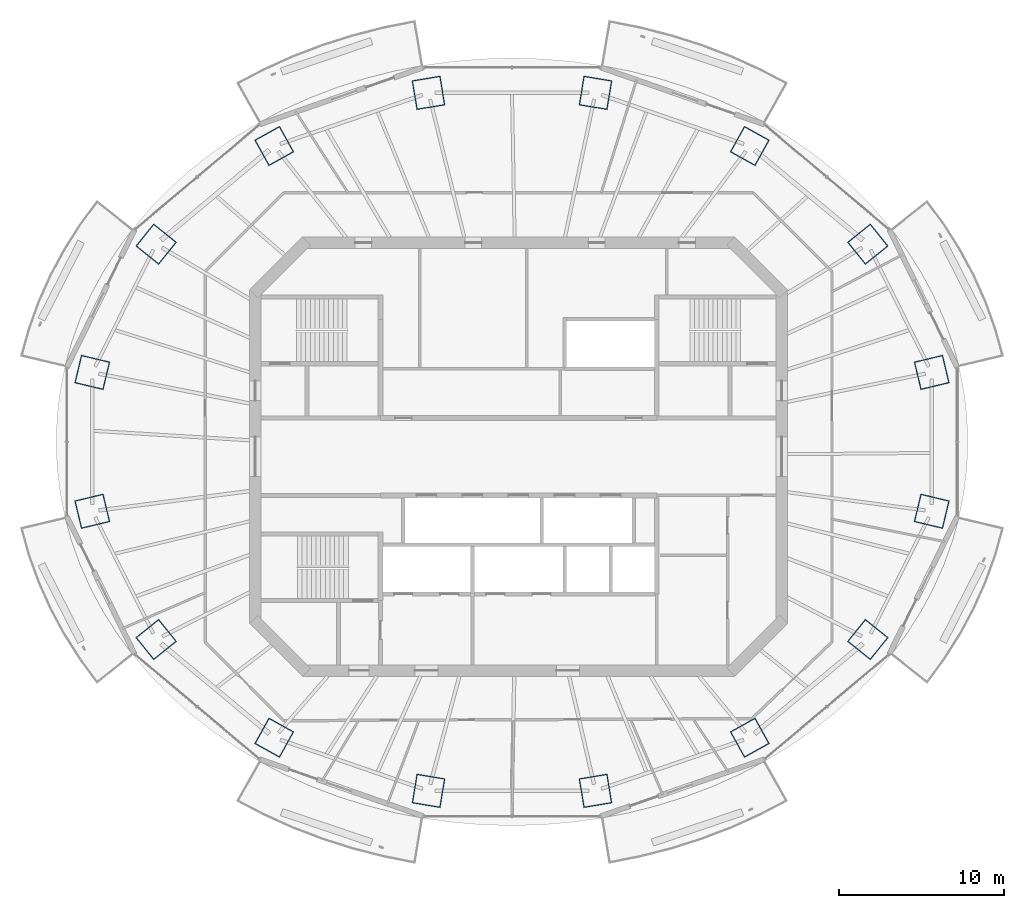
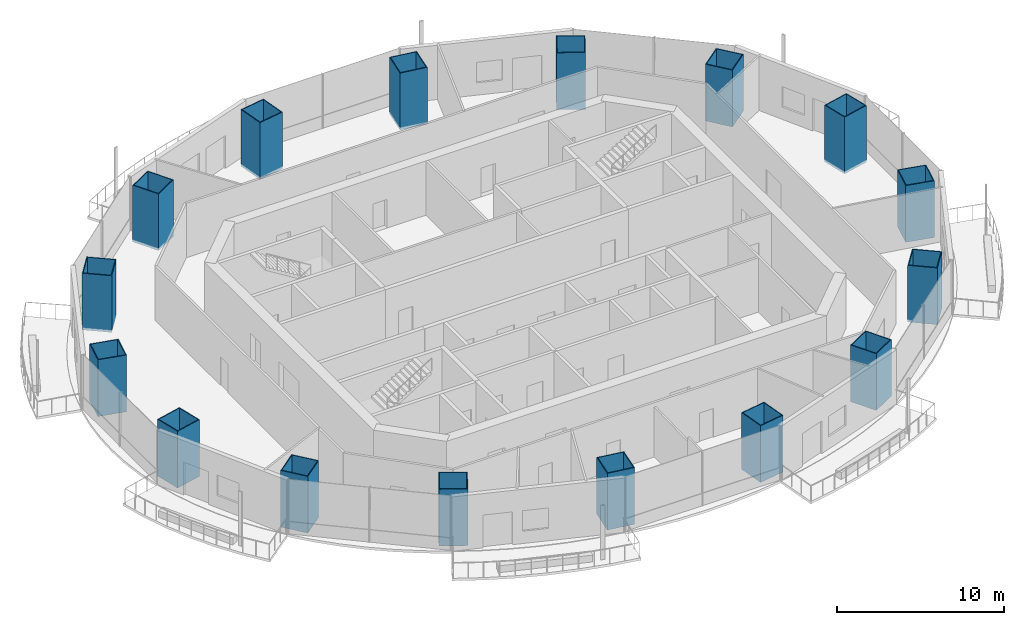
# One storey, part 1 of 16: 16 columns.
"""IFC4 building model written with IfcOpenShell, lengths in metres."""

from ifc_helpers import new_model, si_unit, direction, frame, origin, origin_2d, place, context, subcontext, project, spatial, rectangle, hollow_rectangle, extrude, material, material_profile, profile_set, type_object, element, save


model = new_model("IFC4")

# Units and contexts
model_context = context("Model", 3, precision=1e-05, world=origin(), true_north=direction((0.0, 1.0)))
body_context = subcontext(model_context, "Body", "Model", "MODEL_VIEW")
ifc_project = project(units=[si_unit("LENGTHUNIT", "METRE"), si_unit("AREAUNIT", "SQUARE_METRE"), si_unit("VOLUMEUNIT", "CUBIC_METRE"), si_unit("PLANEANGLEUNIT", "RADIAN"), si_unit("MASSUNIT", "GRAM", prefix="KILO")], contexts=[model_context])

# Site, building, storey
site_placement = place(None, origin())
site = spatial("IfcSite", under=ifc_project, at=site_placement, CompositionType="ELEMENT")
building_placement = place(site_placement, origin())
building = spatial("IfcBuilding", under=site, at=building_placement, Name="Marenthal Gate Tower", CompositionType="ELEMENT")
storey_placement = place(building_placement, frame((0.0, 0.0, 326.0)))
storey = spatial("IfcBuildingStorey", under=building, at=storey_placement, Name="L73", CompositionType="ELEMENT", Elevation=326.0)

# Columns
ifc_material_1 = material(Name="Steel S460", Category="steel")
ifc_material_profile_1 = material_profile(ifc_material_1, hollow_rectangle(XDim=1.75, YDim=1.800048828125, WallThickness=0.054931640625, at=origin_2d()), Name="CFT BOX 1800X1750X55")
ifc_material_2 = material(Name="Concrete 70 MPa", Category="concrete")
ifc_material_profile_2 = material_profile(ifc_material_2, rectangle(XDim=1.639892578125, YDim=1.68994140625, at=origin_2d()), Name="CFT BOX 1800X1750X55 INFILL")
ifc_profile_set = profile_set([ifc_material_profile_1, ifc_material_profile_2], Name="Steel S460 shell, Concrete 70 MPa infill")
column_type = type_object("IfcColumnType", Name="CFT BOX 1800X1750X55", PredefinedType="COLUMN", material=ifc_profile_set)
for number, where, z_axis, x_axis, name in (
    (1, (25.1123046875, 5.119140625, -0.179931640625), (0.0, 0.0, 1.0), (0.232676502106, -0.97255418634, 0.0), "COL-L73-01"),
    (2, (21.228271484375, 12.915283203125, -0.179931640625), (0.0, 0.0, 1.0), (0.626431050402, -0.77947683679, 0.0), "COL-L73-02"),
    (3, (14.051513671875, 18.882080078125, -0.179931640625), (0.0, 0.0, 1.0), (0.874163244047, -0.485632188757, 0.0), "COL-L73-03"),
    (4, (4.6748046875, 22.111328125, -0.179931640625), (0.0, 0.0, 1.0), (0.986598943742, -0.163164102079, 0.0), "COL-L73-04"),
    (5, (-5.474609375, 22.111328125, -0.179931640625), (0.0, 0.0, 1.0), (0.986598943742, 0.163164102079, 0.0), "COL-L73-05"),
    (6, (-14.8515625, 18.882080078125, -0.179931640625), (0.0, 0.0, 1.0), (0.874163244047, 0.485632188757, 0.0), "COL-L73-06"),
    (7, (-22.0283203125, 12.915283203125, -0.179931640625), (0.0, 0.0, 1.0), (0.626431050402, 0.77947683679, 0.0), "COL-L73-07"),
    (8, (-25.912109375, 5.119140625, -0.179931640625), (0.0, 0.0, 1.0), (0.232676502106, 0.97255418634, 0.0), "COL-L73-08"),
    (9, (-25.912109375, -3.319091796875, -0.179931640625), (0.0, 0.0, 1.0), (-0.232676502106, 0.97255418634, 0.0), "COL-L73-09"),
    (10, (-22.0283203125, -11.115234375, -0.179931640625), (0.0, 0.0, 1.0), (-0.626431050402, 0.77947683679, 0.0), "COL-L73-10"),
    (11, (-14.8515625, -17.082275390625, -0.179931640625), (0.0, 0.0, 1.0), (-0.874163244047, 0.485632188757, 0.0), "COL-L73-11"),
    (12, (-5.474609375, -20.311279296875, -0.179931640625), (0.0, 0.0, 1.0), (-0.986598943742, 0.163164102079, 0.0), "COL-L73-12"),
    (13, (4.6748046875, -20.311279296875, -0.179931640625), (0.0, 0.0, 1.0), (-0.986598943742, -0.163164102079, 0.0), "COL-L73-13"),
    (14, (14.051513671875, -17.082275390625, -0.179931640625), (0.0, 0.0, 1.0), (-0.874163244047, -0.485632188757, 0.0), "COL-L73-14"),
    (15, (21.228271484375, -11.115234375, -0.179931640625), (0.0, 0.0, 1.0), (-0.626431050402, -0.77947683679, 0.0), "COL-L73-15"),
    (16, (25.1123046875, -3.319091796875, -0.179931640625), (0.0, 0.0, 1.0), (-0.232676502106, -0.97255418634, 0.0), "COL-L73-16"),
):
    element("IfcColumn", number, at=place(storey_placement, frame(where, z_axis=z_axis, x_axis=x_axis)), inside=storey, type_object=column_type, Name=name, PredefinedType="COLUMN", context=body_context, shape_type="SweptSolid", body=[
        extrude(hollow_rectangle(XDim=1.75, YDim=1.800048828125, WallThickness=0.054931640625, at=origin_2d()), origin(), (0.0, 0.0, 1.0), 4.14990234375),
    ])

save(model, "model.ifc")
